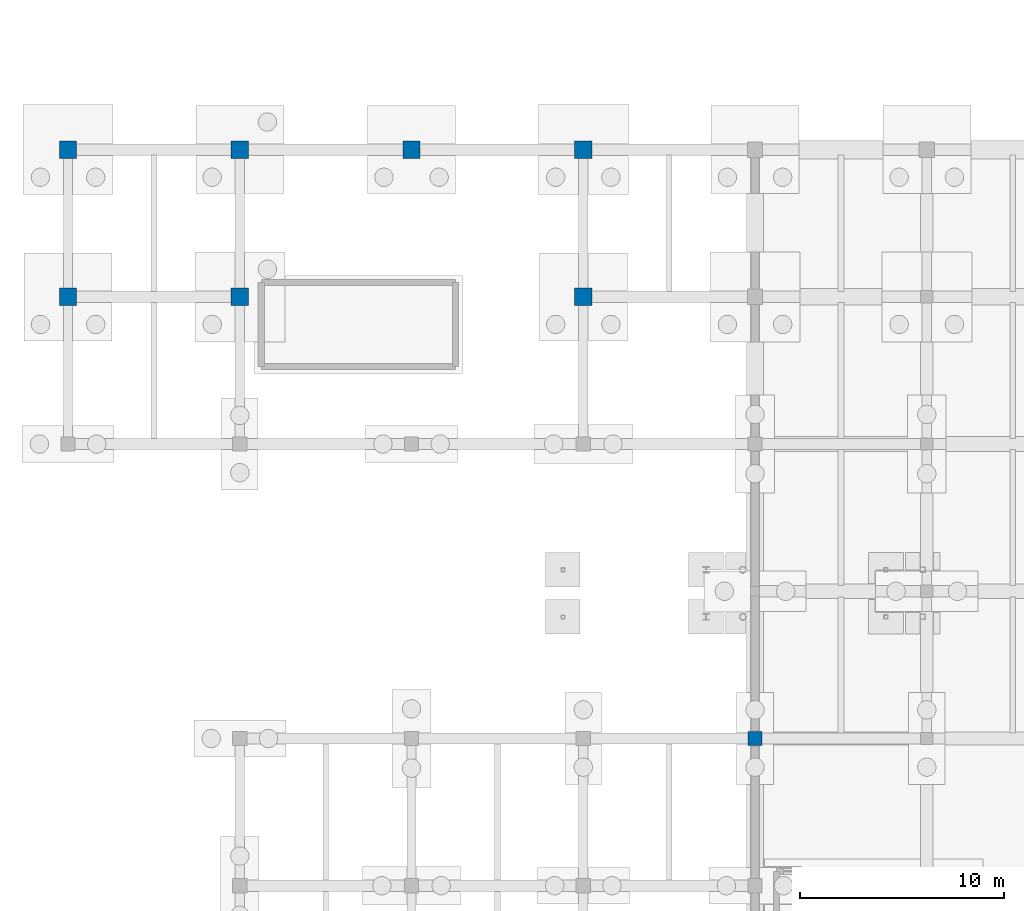
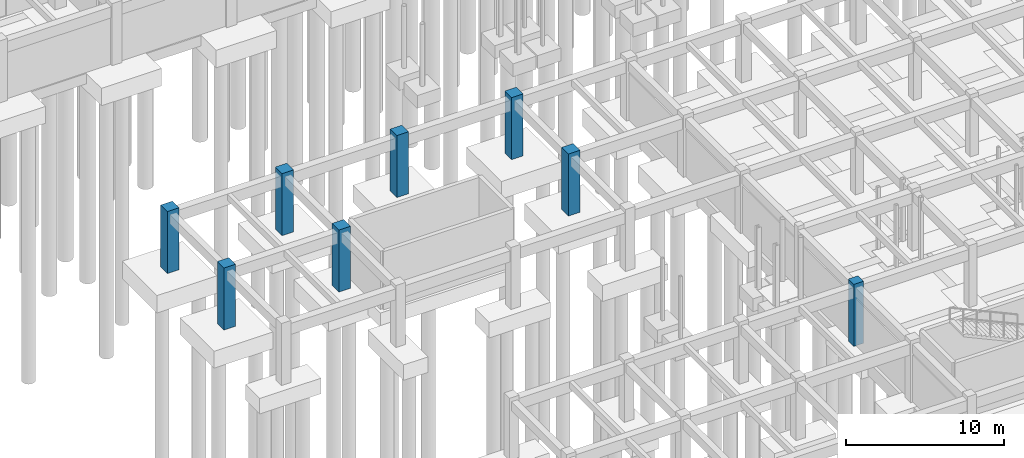
# One storey, part 26 of 80: 8 columns.
"""IFC4 building model written with IfcOpenShell, lengths in metres."""

from ifc_helpers import new_model, si_unit, direction, frame, origin, origin_2d, place, context, subcontext, project, spatial, rectangle, extrude, material, material_profile, profile_set, type_object, element, save


model = new_model("IFC4")

# Units and contexts
model_context = context("Model", 3, precision=1e-05, world=origin(), true_north=direction((0.0, 1.0)))
body_context = subcontext(model_context, "Body", "Model", "MODEL_VIEW")
ifc_project = project(units=[si_unit("LENGTHUNIT", "METRE"), si_unit("AREAUNIT", "SQUARE_METRE"), si_unit("VOLUMEUNIT", "CUBIC_METRE"), si_unit("PLANEANGLEUNIT", "RADIAN"), si_unit("MASSUNIT", "GRAM", prefix="KILO")], contexts=[model_context])

# Site, building, storey
site_placement = place(None, origin())
site = spatial("IfcSite", under=ifc_project, at=site_placement, CompositionType="ELEMENT")
building_placement = place(site_placement, origin())
building = spatial("IfcBuilding", under=site, at=building_placement, Name="Malvenik Polytechnic", CompositionType="ELEMENT")
storey_placement = place(building_placement, frame((0.0, 0.0, -4.800048828125)))
storey = spatial("IfcBuildingStorey", under=building, at=storey_placement, Name="B1", CompositionType="ELEMENT", Elevation=-4.800048828125)

# Columns
ifc_material = material(Name="Concrete C40/50", Category="concrete")
ifc_material_profile_1 = material_profile(ifc_material, rectangle(XDim=0.85009765625, YDim=0.85009765625, at=origin_2d()), Name="RC COL 850x850")
ifc_profile_set_1 = profile_set([ifc_material_profile_1], Name="Concrete C40/50")
column_type_1 = type_object("IfcColumnType", Name="STR-COL-C-01", PredefinedType="COLUMN", material=ifc_profile_set_1)
for number, where, z_axis, x_axis, name in (
    (1, (0.0, 86.39990234375, 0.0), (0.0, 0.0, 1.0), (1.0, 0.0, 0.0), "Column C-01 B1 (0.0,86.4)"),
    (2, (0.0, 93.60009765625, 0.0), (0.0, 0.0, 1.0), (1.0, 0.0, 0.0), "Column C-01 B1 (0.0,93.6)"),
    (3, (8.39990234375, 86.39990234375, 0.0), (0.0, 0.0, 1.0), (1.0, 0.0, 0.0), "Column C-01 B1 (8.4,86.4)"),
    (4, (8.39990234375, 93.60009765625, 0.0), (0.0, 0.0, 1.0), (1.0, 0.0, 0.0), "Column C-01 B1 (8.4,93.6)"),
    (5, (16.800048828125, 93.60009765625, 0.0), (0.0, 0.0, 1.0), (1.0, 0.0, 0.0), "Column C-01 B1 (16.8,93.6)"),
    (6, (25.199951171875, 86.39990234375, 0.0), (0.0, 0.0, 1.0), (1.0, 0.0, 0.0), "Column C-01 B1 (25.2,86.4)"),
    (7, (25.199951171875, 93.60009765625, 0.0), (0.0, 0.0, 1.0), (1.0, 0.0, 0.0), "Column C-01 B1 (25.2,93.6)"),
):
    element("IfcColumn", number, at=place(storey_placement, frame(where, z_axis=z_axis, x_axis=x_axis)), inside=storey, type_object=column_type_1, Name=name, PredefinedType="COLUMN", context=body_context, shape_type="SweptSolid", body=[
        extrude(rectangle(XDim=0.85009765625, YDim=0.85009765625, at=origin_2d()), origin(), (0.0, 0.0, 1.0), 4.800048828125),
    ])
ifc_material_profile_2 = material_profile(ifc_material, rectangle(XDim=0.699951171875, YDim=0.699951171875, at=origin_2d()), Name="RC COL 700x700")
ifc_profile_set_2 = profile_set([ifc_material_profile_2], Name="Concrete C40/50")
column_type_2 = type_object("IfcColumnType", Name="STR-COL-C-04", PredefinedType="COLUMN", material=ifc_profile_set_2)
column_placement = place(storey_placement, frame((33.60009765625, 64.800048828125, 0.0), z_axis=(0.0, 0.0, 1.0), x_axis=(1.0, 0.0, 0.0)))
element("IfcColumn", 8, at=column_placement, inside=storey, type_object=column_type_2, Name="Column C-04 B1 (33.6,64.8)", PredefinedType="COLUMN", context=body_context, shape_type="SweptSolid", body=[
    extrude(rectangle(XDim=0.699951171875, YDim=0.699951171875, at=origin_2d()), origin(), (0.0, 0.0, 1.0), 4.800048828125),
])

save(model, "model.ifc")
